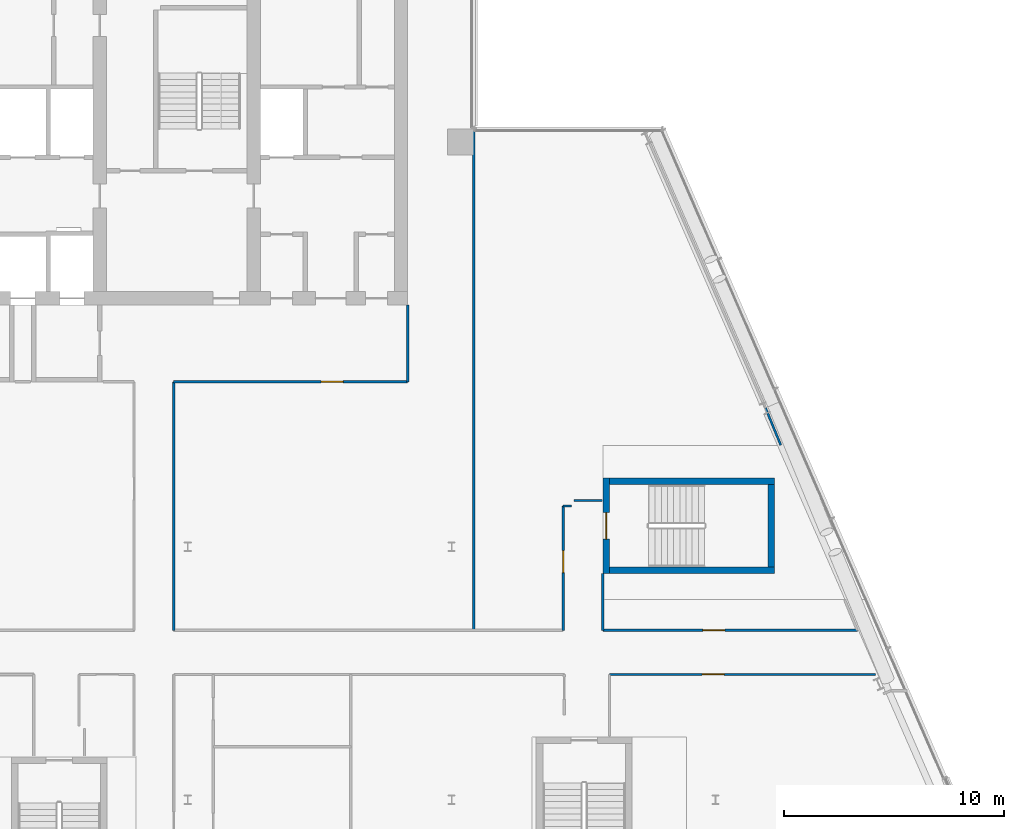
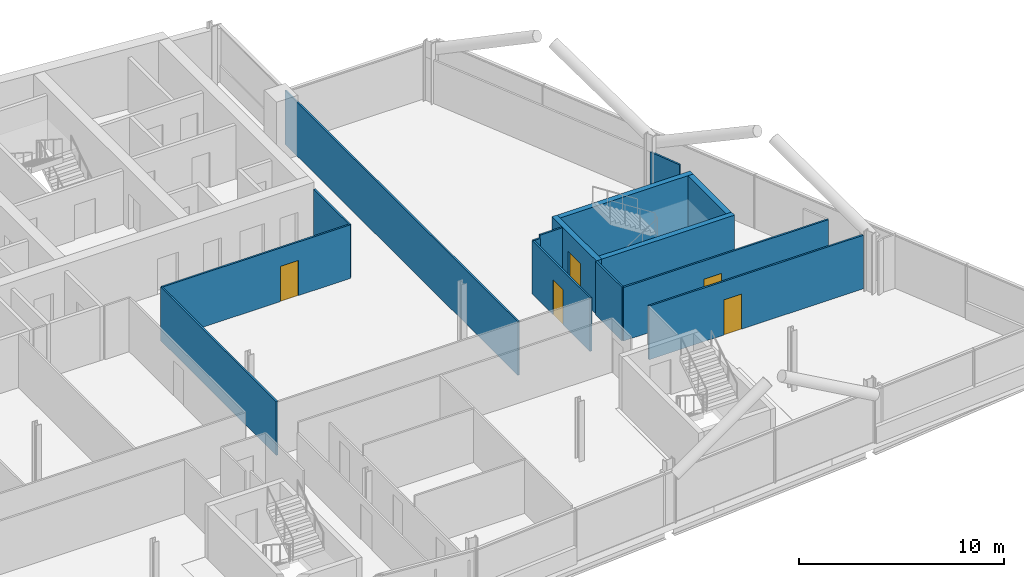
# One storey, part 17 of 26: 15 walls, 5 doors, 5 openings.
"""IFC4 building model written with IfcOpenShell, lengths in metres."""

from ifc_helpers import new_model, si_unit, direction, frame, frame_2d, origin, place, context, subcontext, project, spatial, rectangle, extrude, material, layer, layer_set, type_object, element, fill, save


model = new_model("IFC4")

# Units and contexts
model_context = context("Model", 3, precision=1e-05, world=origin(), true_north=direction((0.0, 1.0)))
body_context = subcontext(model_context, "Body", "Model", "MODEL_VIEW")
ifc_project = project(units=[si_unit("LENGTHUNIT", "METRE"), si_unit("AREAUNIT", "SQUARE_METRE"), si_unit("VOLUMEUNIT", "CUBIC_METRE"), si_unit("PLANEANGLEUNIT", "RADIAN"), si_unit("MASSUNIT", "GRAM", prefix="KILO")], contexts=[model_context])

# Site, building, storey
site_placement = place(None, origin())
site = spatial("IfcSite", under=ifc_project, at=site_placement, CompositionType="ELEMENT")
building_placement = place(site_placement, origin())
building = spatial("IfcBuilding", under=site, at=building_placement, Name="Wharfspan Tower", CompositionType="ELEMENT")
storey_placement = place(building_placement, frame((0.0, 0.0, 217.899902)))
storey = spatial("IfcBuildingStorey", under=building, at=storey_placement, Name="L54", CompositionType="ELEMENT", Elevation=217.899902)

# Wall
ifc_material_1 = material(Name="Gypsum board on steel studs", Category="steel")
ifc_layer_1 = layer(ifc_material_1, 0.100098)
ifc_layer_set_1 = layer_set([ifc_layer_1], Name="Gypsum board on steel studs")
wall_type_1 = type_object("IfcWallType", Name="Compartment wall 100 EI 60", PredefinedType="PARTITIONING", material=ifc_layer_set_1)
wall_1_placement = place(storey_placement, frame((47.360107, 19.199951, 0.0), z_axis=(0.0, 0.0, 1.0), x_axis=(0.0, 1.0, 0.0)))
element("IfcWall", 1, at=wall_1_placement, inside=storey, type_object=wall_type_1, Name="Partition L54.w022", PredefinedType="PARTITIONING", context=body_context, shape_type="SweptSolid", body=[
    extrude(rectangle(XDim=11.300049, YDim=0.100098, at=frame_2d((5.649902, 0.0))), origin(), (0.0, 0.0, 1.0), 3.200195),
])

# Wall, opening, door
wall_2_placement = place(storey_placement, frame((47.360107, 30.5, 0.0), z_axis=(0.0, 0.0, 1.0), x_axis=(1.0, 0.0, 0.0)))
wall_2 = element("IfcWall", 2, at=wall_2_placement, inside=storey, type_object=wall_type_1, Name="Partition L54.w024", PredefinedType="PARTITIONING", context=body_context, shape_type="SweptSolid", body=[
    extrude(rectangle(XDim=10.639893, YDim=0.100098, at=frame_2d((5.319824, 0.0))), origin(), (0.0, 0.0, 1.0), 3.200195),
])
opening_1_placement = place(wall_2_placement, frame((6.699951, 0.0, 0.0)))
opening_1 = element("IfcOpeningElement", 3, at=opening_1_placement, cuts=wall_2, Name="Opening D2-15", PredefinedType="OPENING", context=body_context, shape_type="SweptSolid", body=[
    extrude(rectangle(XDim=1.0, YDim=2.100098, at=frame_2d((0.5, 1.050049))), frame((0.0, 0.060059, 0.0), z_axis=(0.0, -1.0, 0.0), x_axis=(1.0, 0.0, 0.0)), (0.0, 0.0, 1.0), 0.120117),
])
ifc_material_2 = material(Name="Fire-rated timber door leaf in steel frame", Category="steel")
door_type_1 = type_object("IfcDoorType", Name="Door 1000 FD30S Right", OperationType="SINGLE_SWING_RIGHT", PredefinedType="DOOR", material=ifc_material_2)
door_1_placement = place(opening_1_placement, origin())
door_1 = element("IfcDoor", 4, at=door_1_placement, inside=storey, type_object=door_type_1, Name="Door D2-15", OperationType="SINGLE_SWING_RIGHT", OverallHeight=2.100098, OverallWidth=1.0, PredefinedType="DOOR", context=body_context, shape_type="SweptSolid", body=[
    extrude(rectangle(XDim=1.0, YDim=2.100098, at=frame_2d((0.5, 1.050049))), frame((0.0, 0.024902, 0.0), z_axis=(0.0, -1.0, 0.0), x_axis=(1.0, 0.0, 0.0)), (0.0, 0.0, 1.0), 0.050049),
])
fill(opening_1, door_1)

# Walls
wall_3_placement = place(storey_placement, frame((58.0, 30.5, 0.0), z_axis=(0.0, 0.0, 1.0), x_axis=(0.0, 1.0, 0.0)))
element("IfcWall", 5, at=wall_3_placement, inside=storey, type_object=wall_type_1, Name="Partition L54.w033", PredefinedType="PARTITIONING", context=body_context, shape_type="SweptSolid", body=[
    extrude(rectangle(XDim=3.47998, YDim=0.100098, at=frame_2d((1.73999, 0.0))), origin(), (0.0, 0.0, 1.0), 3.200195),
])
wall_4_placement = place(storey_placement, frame((61.0, 19.199951, 0.0), z_axis=(0.0, 0.0, 1.0), x_axis=(0.0, 1.0, 0.0)))
element("IfcWall", 6, at=wall_4_placement, inside=storey, type_object=wall_type_1, Name="Partition L54.w036", PredefinedType="PARTITIONING", context=body_context, shape_type="SweptSolid", body=[
    extrude(rectangle(XDim=22.780029, YDim=0.100098, at=frame_2d((11.390137, 0.0))), origin(), (0.0, 0.0, 1.0), 3.200195),
])

# Wall, opening, door
wall_5_placement = place(storey_placement, frame((65.070068, 19.199951, 0.0), z_axis=(0.0, 0.0, 1.0), x_axis=(0.0, 1.0, 0.0)))
wall_5 = element("IfcWall", 7, at=wall_5_placement, inside=storey, type_object=wall_type_1, Name="Partition L54.w037", PredefinedType="PARTITIONING", context=body_context, shape_type="SweptSolid", body=[
    extrude(rectangle(XDim=5.650146, YDim=0.100098, at=frame_2d((2.825195, 0.0))), origin(), (0.0, 0.0, 1.0), 3.200195),
])
opening_2_placement = place(wall_5_placement, frame((2.618652, 0.0, 0.0)))
opening_2 = element("IfcOpeningElement", 8, at=opening_2_placement, cuts=wall_5, Name="Opening D2-11", PredefinedType="OPENING", context=body_context, shape_type="SweptSolid", body=[
    extrude(rectangle(XDim=1.0, YDim=2.100098, at=frame_2d((0.5, 1.050049))), frame((0.0, 0.060059, 0.0), z_axis=(0.0, -1.0, 0.0), x_axis=(1.0, 0.0, 0.0)), (0.0, 0.0, 1.0), 0.120117),
])
door_2_placement = place(opening_2_placement, origin())
door_2 = element("IfcDoor", 9, at=door_2_placement, inside=storey, type_object=door_type_1, Name="Door D2-11", OperationType="SINGLE_SWING_RIGHT", OverallHeight=2.100098, OverallWidth=1.0, PredefinedType="DOOR", context=body_context, shape_type="SweptSolid", body=[
    extrude(rectangle(XDim=1.0, YDim=2.100098, at=frame_2d((0.5, 1.050049))), frame((0.0, 0.024902, 0.0), z_axis=(0.0, -1.0, 0.0), x_axis=(1.0, 0.0, 0.0)), (0.0, 0.0, 1.0), 0.050049),
])
fill(opening_2, door_2)

# Walls
wall_6_placement = place(storey_placement, frame((65.070068, 24.850098, 0.0), z_axis=(0.0, 0.0, 1.0), x_axis=(1.0, 0.0, 0.0)))
element("IfcWall", 10, at=wall_6_placement, inside=storey, type_object=wall_type_1, Name="Partition L54.w038", PredefinedType="PARTITIONING", context=body_context, shape_type="SweptSolid", body=[
    extrude(rectangle(XDim=0.379883, YDim=0.100098, at=frame_2d((0.189941, 0.0))), origin(), (0.0, 0.0, 1.0), 3.200195),
])
wall_7_placement = place(storey_placement, frame((65.570068, 25.100098, 0.0), z_axis=(0.0, 0.0, 1.0), x_axis=(1.0, 0.0, 0.0)))
element("IfcWall", 11, at=wall_7_placement, inside=storey, type_object=wall_type_1, Name="Partition L54.w040", PredefinedType="PARTITIONING", context=body_context, shape_type="SweptSolid", body=[
    extrude(rectangle(XDim=1.279541, YDim=0.100098, at=frame_2d((0.639648, 0.0))), origin(), (0.0, 0.0, 1.0), 3.200195),
])
wall_8_placement = place(storey_placement, frame((66.870117, 19.199951, 0.0), z_axis=(0.0, 0.0, 1.0), x_axis=(0.0, 1.0, 0.0)))
element("IfcWall", 12, at=wall_8_placement, inside=storey, type_object=wall_type_1, Name="Partition L54.w041", PredefinedType="PARTITIONING", context=body_context, shape_type="SweptSolid", body=[
    extrude(rectangle(XDim=2.574951, YDim=0.100098, at=frame_2d((1.287598, 0.0))), origin(), (0.0, 0.0, 1.0), 3.200195),
])

# Wall, opening, door
wall_9_placement = place(storey_placement, frame((66.870117, 19.199951, 0.0), z_axis=(0.0, 0.0, 1.0), x_axis=(1.0, 0.0, 0.0)))
wall_9 = element("IfcWall", 13, at=wall_9_placement, inside=storey, type_object=wall_type_1, Name="Partition L54.w042", PredefinedType="PARTITIONING", context=body_context, shape_type="SweptSolid", body=[
    extrude(rectangle(XDim=11.569824, YDim=0.100098, at=frame_2d((5.784912, 0.0))), origin(), (0.0, 0.0, 1.0), 3.200195),
])
opening_3_placement = place(wall_9_placement, frame((4.55127, 0.0, 0.0)))
opening_3 = element("IfcOpeningElement", 14, at=opening_3_placement, cuts=wall_9, Name="Opening D2-10", PredefinedType="OPENING", context=body_context, shape_type="SweptSolid", body=[
    extrude(rectangle(XDim=1.0, YDim=2.100098, at=frame_2d((0.5, 1.050049))), frame((0.0, 0.060059, 0.0), z_axis=(0.0, -1.0, 0.0), x_axis=(1.0, 0.0, 0.0)), (0.0, 0.0, 1.0), 0.120117),
])
door_type_2 = type_object("IfcDoorType", Name="Door 1000 FD30S Left", OperationType="SINGLE_SWING_LEFT", PredefinedType="DOOR", material=ifc_material_2)
door_3_placement = place(opening_3_placement, origin())
door_3 = element("IfcDoor", 15, at=door_3_placement, inside=storey, type_object=door_type_2, Name="Door D2-10", OperationType="SINGLE_SWING_LEFT", OverallHeight=2.100098, OverallWidth=1.0, PredefinedType="DOOR", context=body_context, shape_type="SweptSolid", body=[
    extrude(rectangle(XDim=1.0, YDim=2.100098, at=frame_2d((0.5, 1.050049))), frame((0.0, 0.024902, 0.0), z_axis=(0.0, -1.0, 0.0), x_axis=(1.0, 0.0, 0.0)), (0.0, 0.0, 1.0), 0.050049),
])
fill(opening_3, door_3)

wall_10_placement = place(storey_placement, frame((67.169922, 17.195068, 0.0), z_axis=(0.0, 0.0, 1.0), x_axis=(1.0, 0.0, 0.0)))
wall_10 = element("IfcWall", 16, at=wall_10_placement, inside=storey, type_object=wall_type_1, Name="Partition L54.w044", PredefinedType="PARTITIONING", context=body_context, shape_type="SweptSolid", body=[
    extrude(rectangle(XDim=12.094971, YDim=0.100098, at=frame_2d((6.047363, 0.0))), origin(), (0.0, 0.0, 1.0), 3.200195),
])
opening_4_placement = place(wall_10_placement, frame((4.219971, 0.0, 0.0)))
opening_4 = element("IfcOpeningElement", 17, at=opening_4_placement, cuts=wall_10, Name="Opening D2-08", PredefinedType="OPENING", context=body_context, shape_type="SweptSolid", body=[
    extrude(rectangle(XDim=1.0, YDim=2.100098, at=frame_2d((0.5, 1.050049))), frame((0.0, 0.060059, 0.0), z_axis=(0.0, -1.0, 0.0), x_axis=(1.0, 0.0, 0.0)), (0.0, 0.0, 1.0), 0.120117),
])
door_4_placement = place(opening_4_placement, origin())
door_4 = element("IfcDoor", 18, at=door_4_placement, inside=storey, type_object=door_type_2, Name="Door D2-08", OperationType="SINGLE_SWING_LEFT", OverallHeight=2.100098, OverallWidth=1.0, PredefinedType="DOOR", context=body_context, shape_type="SweptSolid", body=[
    extrude(rectangle(XDim=1.0, YDim=2.100098, at=frame_2d((0.5, 1.050049))), frame((0.0, 0.024902, 0.0), z_axis=(0.0, -1.0, 0.0), x_axis=(1.0, 0.0, 0.0)), (0.0, 0.0, 1.0), 0.050049),
])
fill(opening_4, door_4)

# Wall
ifc_layer_2 = layer(ifc_material_1, 0.100098)
ifc_layer_set_2 = layer_set([ifc_layer_2], Name="Gypsum board on steel studs")
wall_type_2 = type_object("IfcWallType", Name="Partition 100", PredefinedType="PARTITIONING", material=ifc_layer_set_2)
wall_11_placement = place(storey_placement, frame((74.961914, 27.620117, 0.0), z_axis=(0.0, 0.0, 1.0), x_axis=(-0.381293, 0.924452, 0.0)))
element("IfcWall", 19, at=wall_11_placement, inside=storey, type_object=wall_type_2, Name="Partition L54.w048", PredefinedType="PARTITIONING", context=body_context, shape_type="SweptSolid", body=[
    extrude(rectangle(XDim=1.828125, YDim=0.100098, at=frame_2d((0.914062, 0.0))), origin(), (0.0, 0.0, 1.0), 2.580078),
])

# Wall, opening, door
ifc_material_3 = material(Name="Concrete C40/50", Category="concrete")
ifc_layer_3 = layer(ifc_material_3, 0.300049)
ifc_layer_set_3 = layer_set([ifc_layer_3], Name="Concrete C40/50")
wall_type_3 = type_object("IfcWallType", Name="Stair core wall 300", PredefinedType="SHEAR", material=ifc_layer_set_3)
wall_12_placement = place(storey_placement, frame((67.019531, 21.774902, 0.0), z_axis=(0.0, 0.0, 1.0), x_axis=(0.0, 1.0, 0.0)))
wall_12 = element("IfcWall", 20, at=wall_12_placement, inside=storey, type_object=wall_type_3, Name="ST6 stair enclosure wall L54", PredefinedType="SHEAR", context=body_context, shape_type="SweptSolid", body=[
    extrude(rectangle(XDim=4.350098, YDim=0.300049, at=frame_2d((2.175049, 0.0))), origin(), (0.0, 0.0, 1.0), 3.200195),
])
opening_5_placement = place(wall_12_placement, frame((1.574951, 0.0, 0.0)))
opening_5 = element("IfcOpeningElement", 21, at=opening_5_placement, cuts=wall_12, Name="Opening SD6.L54", PredefinedType="OPENING", context=body_context, shape_type="SweptSolid", body=[
    extrude(rectangle(XDim=1.199951, YDim=2.100098, at=frame_2d((0.600098, 1.050049))), frame((0.0, 0.159912, 0.0), z_axis=(0.0, -1.0, 0.0), x_axis=(1.0, 0.0, 0.0)), (0.0, 0.0, 1.0), 0.320068),
])
ifc_material_4 = material(Name="Steel door leaf", Category="steel")
door_type_3 = type_object("IfcDoorType", Name="Stair door 1200x2100", OperationType="SINGLE_SWING_LEFT", PredefinedType="DOOR", material=ifc_material_4)
door_5_placement = place(opening_5_placement, origin())
door_5 = element("IfcDoor", 22, at=door_5_placement, inside=storey, type_object=door_type_3, Name="sd:L54:ST6z4", OperationType="SINGLE_SWING_RIGHT", OverallHeight=2.100098, OverallWidth=1.199951, PredefinedType="DOOR", context=body_context, shape_type="SweptSolid", body=[
    extrude(rectangle(XDim=1.199951, YDim=2.100098, at=frame_2d((0.600098, 1.050049))), frame((0.0, 0.024902, 0.0), z_axis=(0.0, -1.0, 0.0), x_axis=(1.0, 0.0, 0.0)), (0.0, 0.0, 1.0), 0.050049),
])
fill(opening_5, door_5)

# Walls
for number, where, z_axis, x_axis, name in (
    (23, (67.169678, 21.925049, 0.0), (0.0, 0.0, 1.0), (1.0, 0.0, 0.0), "ST6 stair enclosure wall L54"),
    (24, (67.169678, 25.975098, 0.0), (0.0, 0.0, 1.0), (1.0, 0.0, 0.0), "ST6 stair enclosure wall L54"),
):
    element("IfcWall", number, at=place(storey_placement, frame(where, z_axis=z_axis, x_axis=x_axis)), inside=storey, type_object=wall_type_3, Name=name, PredefinedType="SHEAR", context=body_context, shape_type="SweptSolid", body=[
        extrude(rectangle(XDim=7.5, YDim=0.300049, at=frame_2d((3.75, 0.0))), origin(), (0.0, 0.0, 1.0), 3.200195),
    ])
wall_13_placement = place(storey_placement, frame((74.519531, 22.074951, 0.0), z_axis=(0.0, 0.0, 1.0), x_axis=(0.0, 1.0, 0.0)))
element("IfcWall", 25, at=wall_13_placement, inside=storey, type_object=wall_type_3, Name="ST6 stair enclosure wall L54", PredefinedType="SHEAR", context=body_context, shape_type="SweptSolid", body=[
    extrude(rectangle(XDim=3.75, YDim=0.300049, at=frame_2d((1.875, 0.0))), origin(), (0.0, 0.0, 1.0), 3.200195),
])

save(model, "model.ifc")
